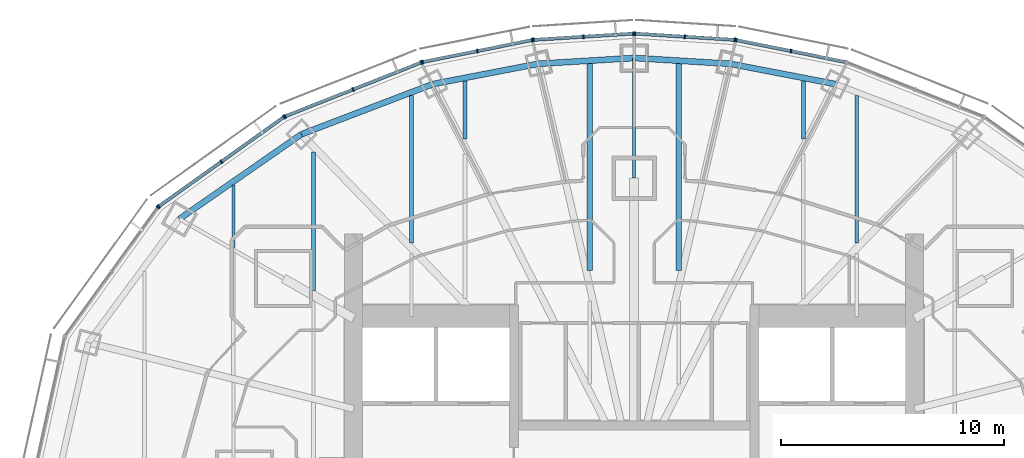
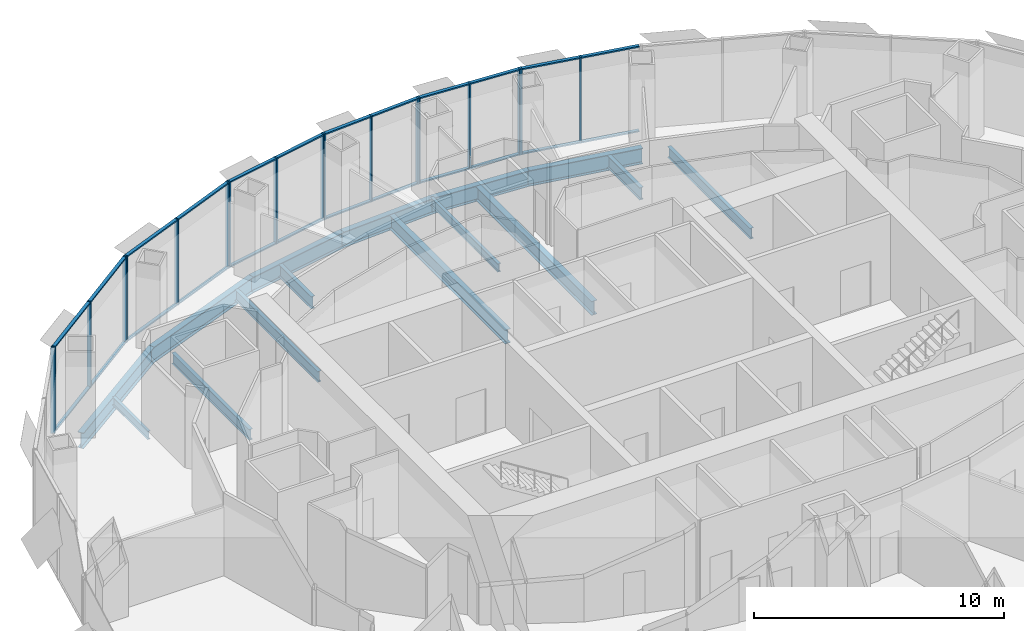
# One storey, part 8 of 18: 42 members, 15 beams, 7 elements without a shape of their own.
"""IFC4 building model written with IfcOpenShell, lengths in metres."""

from ifc_helpers import new_model, si_unit, direction, frame, origin, origin_2d, place, context, subcontext, project, spatial, rectangle, i_section, extrude, material, material_profile, profile_set, type_object, element, aggregate, save


model = new_model("IFC4")

# Units and contexts
model_context = context("Model", 3, precision=1e-05, world=origin(), true_north=direction((0.0, 1.0)))
body_context = subcontext(model_context, "Body", "Model", "MODEL_VIEW")
ifc_project = project(units=[si_unit("LENGTHUNIT", "METRE"), si_unit("AREAUNIT", "SQUARE_METRE"), si_unit("VOLUMEUNIT", "CUBIC_METRE"), si_unit("PLANEANGLEUNIT", "RADIAN"), si_unit("MASSUNIT", "GRAM", prefix="KILO")], contexts=[model_context])

# Site, building, storey
site_placement = place(None, origin())
site = spatial("IfcSite", under=ifc_project, at=site_placement, CompositionType="ELEMENT")
building_placement = place(site_placement, origin())
building = spatial("IfcBuilding", under=site, at=building_placement, Name="Lantaw Convention Tower", CompositionType="ELEMENT")
storey_placement = place(building_placement, frame((0.0, 0.0, 241.0)))
storey = spatial("IfcBuildingStorey", under=building, at=storey_placement, Name="L56", CompositionType="ELEMENT", Elevation=241.0)

# Beams
ifc_material_1 = material(Name="Steel ASTM A992", Category="steel")
ifc_material_profile_1 = material_profile(ifc_material_1, i_section(OverallWidth=0.2666015625, OverallDepth=0.76953125, WebThickness=0.015625, FlangeThickness=0.025390625, FilletRadius=0.0126953125, at=origin_2d()), Name="W30X132")
ifc_profile_set_1 = profile_set([ifc_material_profile_1], Name="Steel ASTM A992")
beam_type_1 = type_object("IfcBeamType", Name="Beam E W30X132", PredefinedType="SPANDREL", material=ifc_profile_set_1)
beam_1_placement = place(storey_placement, frame((9.03466796875, 17.7314453125, -0.534912109375), z_axis=(-0.981972091702, 0.189025953556, 0.0), x_axis=(-0.189025953556, -0.981972091702, 0.0)))
element("IfcBeam", 1, at=beam_1_placement, inside=storey, type_object=beam_type_1, Name="Edge beam 5", PredefinedType="SPANDREL", context=body_context, shape_type="SweptSolid", body=[
    extrude(i_section(OverallWidth=0.2666015625, OverallDepth=0.76953125, WebThickness=0.015625, FlangeThickness=0.025390625, FilletRadius=0.0126953125, at=origin_2d()), origin(), (0.0, 0.0, 1.0), 4.817626953125),
])
for number, where, z_axis, x_axis, name in (
    (2, (4.303955078125, 18.64208984375, -0.534912109375), (-0.998210730897, 0.059794119452, 0.0), (-0.059794119452, -0.998210730897, 0.0), "Edge beam 6"),
    (3, (0.0, 18.89990234375, -0.534912109375), (-0.998210730897, -0.059794119452, 0.0), (0.059794119452, -0.998210730897, 0.0), "Edge beam 7"),
):
    element("IfcBeam", number, at=place(storey_placement, frame(where, z_axis=z_axis, x_axis=x_axis)), inside=storey, type_object=beam_type_1, Name=name, PredefinedType="SPANDREL", context=body_context, shape_type="SweptSolid", body=[
        extrude(i_section(OverallWidth=0.2666015625, OverallDepth=0.76953125, WebThickness=0.015625, FlangeThickness=0.025390625, FilletRadius=0.0126953125, at=origin_2d()), origin(), (0.0, 0.0, 1.0), 4.311767578125),
    ])
beam_2_placement = place(storey_placement, frame((-4.303955078125, 18.64208984375, -0.534912109375), z_axis=(-0.981972091702, -0.189025953556, 0.0), x_axis=(0.189025953556, -0.981972091702, 0.0)))
element("IfcBeam", 4, at=beam_2_placement, inside=storey, type_object=beam_type_1, Name="Edge beam 8", PredefinedType="SPANDREL", context=body_context, shape_type="SweptSolid", body=[
    extrude(i_section(OverallWidth=0.2666015625, OverallDepth=0.76953125, WebThickness=0.015625, FlangeThickness=0.025390625, FilletRadius=0.0126953125, at=origin_2d()), origin(), (0.0, 0.0, 1.0), 4.817626953125),
])
beam_3_placement = place(storey_placement, frame((-9.03466796875, 17.7314453125, -0.534912109375), z_axis=(-0.934234988, -0.356658081637, 0.0), x_axis=(0.356658081637, -0.934234988, 0.0)))
element("IfcBeam", 5, at=beam_3_placement, inside=storey, type_object=beam_type_1, Name="Edge beam 9", PredefinedType="SPANDREL", context=body_context, shape_type="SweptSolid", body=[
    extrude(i_section(OverallWidth=0.2666015625, OverallDepth=0.76953125, WebThickness=0.015625, FlangeThickness=0.025390625, FilletRadius=0.0126953125, at=origin_2d()), origin(), (0.0, 0.0, 1.0), 6.32568359375),
])
beam_4_placement = place(storey_placement, frame((-14.9443359375, 15.475341796875, -0.534912109375), z_axis=(-0.82135329406, -0.570419815869, 0.0), x_axis=(0.570419815869, -0.82135329406, 0.0)))
element("IfcBeam", 6, at=beam_4_placement, inside=storey, type_object=beam_type_1, Name="Edge beam 10", PredefinedType="SPANDREL", context=body_context, shape_type="SweptSolid", body=[
    extrude(i_section(OverallWidth=0.2666015625, OverallDepth=0.76953125, WebThickness=0.015625, FlangeThickness=0.025390625, FilletRadius=0.0126953125, at=origin_2d()), origin(), (0.0, 0.0, 1.0), 6.67041015625),
])
ifc_material_profile_2 = material_profile(ifc_material_1, i_section(OverallWidth=0.140380859375, OverallDepth=0.40380859375, WebThickness=0.007080078125, FlangeThickness=0.01123046875, FilletRadius=0.01025390625, at=origin_2d()), Name="W16X31")
ifc_profile_set_2 = profile_set([ifc_material_profile_2], Name="Steel ASTM A992")
beam_type_2 = type_object("IfcBeamType", Name="Beam G W16X31", PredefinedType="BEAM", material=ifc_profile_set_2)
beam_5_placement = place(storey_placement, frame((0.0, 13.5, -0.35205078125), z_axis=(0.0, 1.0, 0.0), x_axis=(-1.0, 0.0, 0.0)))
element("IfcBeam", 7, at=beam_5_placement, inside=storey, type_object=beam_type_2, Name="Floor girder on ray 7", PredefinedType="BEAM", context=body_context, shape_type="SweptSolid", body=[
    extrude(i_section(OverallWidth=0.140380859375, OverallDepth=0.40380859375, WebThickness=0.007080078125, FlangeThickness=0.01123046875, FilletRadius=0.01025390625, at=origin_2d()), origin(), (0.0, 0.0, 1.0), 5.39990234375),
])
ifc_material_profile_3 = material_profile(ifc_material_1, i_section(OverallWidth=0.140380859375, OverallDepth=0.40380859375, WebThickness=0.007080078125, FlangeThickness=0.01123046875, FilletRadius=0.01025390625, at=origin_2d()), Name="W16X31")
ifc_profile_set_3 = profile_set([ifc_material_profile_3], Name="Steel ASTM A992")
beam_type_3 = type_object("IfcBeamType", Name="Beam J W16X31", PredefinedType="JOIST", material=ifc_profile_set_3)
beam_6_placement = place(storey_placement, frame((-18.0, 10.380859375, -0.35205078125), z_axis=(0.0, 1.0, 0.0), x_axis=(-1.0, 0.0, 0.0)))
element("IfcBeam", 8, at=beam_6_placement, inside=storey, type_object=beam_type_3, Name="Floor joist", PredefinedType="JOIST", context=body_context, shape_type="SweptSolid", body=[
    extrude(i_section(OverallWidth=0.140380859375, OverallDepth=0.40380859375, WebThickness=0.007080078125, FlangeThickness=0.01123046875, FilletRadius=0.01025390625, at=origin_2d()), origin(), (0.0, 0.0, 1.0), 2.81005859375),
])
ifc_material_profile_4 = material_profile(ifc_material_1, i_section(OverallWidth=0.1650390625, OverallDepth=0.52587890625, WebThickness=0.0087890625, FlangeThickness=0.011474609375, FilletRadius=0.0126953125, at=origin_2d()), Name="W21X44")
ifc_profile_set_4 = profile_set([ifc_material_profile_4], Name="Steel ASTM A992")
beam_type_4 = type_object("IfcBeamType", Name="Beam J W21X44", PredefinedType="JOIST", material=ifc_profile_set_4)
beam_7_placement = place(storey_placement, frame((-14.39990234375, 8.461181640625, -0.412841796875), z_axis=(0.0, 1.0, 0.0), x_axis=(-1.0, 0.0, 0.0)))
element("IfcBeam", 9, at=beam_7_placement, inside=storey, type_object=beam_type_4, Name="Floor joist", PredefinedType="JOIST", context=body_context, shape_type="SweptSolid", body=[
    extrude(i_section(OverallWidth=0.1650390625, OverallDepth=0.52587890625, WebThickness=0.0087890625, FlangeThickness=0.011474609375, FilletRadius=0.0126953125, at=origin_2d()), origin(), (0.0, 0.0, 1.0), 6.214599609375),
])
for number, where, z_axis, x_axis, name in (
    (10, (-10.0, 10.591064453125, -0.412841796875), (0.0, 1.0, 0.0), (-1.0, 0.0, 0.0), "Floor joist"),
    (11, (10.0, 10.591064453125, -0.412841796875), (0.0, 1.0, 0.0), (-1.0, 0.0, 0.0), "Floor joist"),
):
    element("IfcBeam", number, at=place(storey_placement, frame(where, z_axis=z_axis, x_axis=x_axis)), inside=storey, type_object=beam_type_4, Name=name, PredefinedType="JOIST", context=body_context, shape_type="SweptSolid", body=[
        extrude(i_section(OverallWidth=0.1650390625, OverallDepth=0.52587890625, WebThickness=0.0087890625, FlangeThickness=0.011474609375, FilletRadius=0.0126953125, at=origin_2d()), origin(), (0.0, 0.0, 1.0), 6.629150390625),
    ])
ifc_material_profile_5 = material_profile(ifc_material_1, i_section(OverallWidth=0.177978515625, OverallDepth=0.599365234375, WebThickness=0.010009765625, FlangeThickness=0.012939453125, FilletRadius=0.012939453125, at=origin_2d()), Name="W24X55")
ifc_profile_set_5 = profile_set([ifc_material_profile_5], Name="Steel ASTM A992")
beam_type_5 = type_object("IfcBeamType", Name="Beam J W24X55", PredefinedType="JOIST", material=ifc_profile_set_5)
for number, where, z_axis, x_axis, name in (
    (12, (-7.60009765625, 15.25439453125, -0.44970703125), (0.0, 1.0, 0.0), (-1.0, 0.0, 0.0), "Floor joist"),
    (13, (7.60009765625, 15.25439453125, -0.44970703125), (0.0, 1.0, 0.0), (-1.0, 0.0, 0.0), "Floor joist"),
):
    element("IfcBeam", number, at=place(storey_placement, frame(where, z_axis=z_axis, x_axis=x_axis)), inside=storey, type_object=beam_type_5, Name=name, PredefinedType="JOIST", context=body_context, shape_type="SweptSolid", body=[
        extrude(i_section(OverallWidth=0.177978515625, OverallDepth=0.599365234375, WebThickness=0.010009765625, FlangeThickness=0.012939453125, FilletRadius=0.012939453125, at=origin_2d()), origin(), (0.0, 0.0, 1.0), 2.617431640625),
    ])
ifc_material_profile_6 = material_profile(ifc_material_1, i_section(OverallWidth=0.25390625, OverallDepth=0.683349609375, WebThickness=0.012451171875, FlangeThickness=0.01904296875, FilletRadius=0.01513671875, at=origin_2d()), Name="W27X94")
ifc_profile_set_6 = profile_set([ifc_material_profile_6], Name="Steel ASTM A992")
beam_type_6 = type_object("IfcBeamType", Name="Beam J W27X94", PredefinedType="JOIST", material=ifc_profile_set_6)
for number, where, z_axis, x_axis, name in (
    (14, (-2.0, 9.34619140625, -0.49169921875), (0.0, 1.0, 0.0), (-1.0, 0.0, 0.0), "Floor joist"),
    (15, (2.0, 9.34619140625, -0.49169921875), (0.0, 1.0, 0.0), (-1.0, 0.0, 0.0), "Floor joist"),
):
    element("IfcBeam", number, at=place(storey_placement, frame(where, z_axis=z_axis, x_axis=x_axis)), inside=storey, type_object=beam_type_6, Name=name, PredefinedType="JOIST", context=body_context, shape_type="SweptSolid", body=[
        extrude(i_section(OverallWidth=0.25390625, OverallDepth=0.683349609375, WebThickness=0.012451171875, FlangeThickness=0.01904296875, FilletRadius=0.01513671875, at=origin_2d()), origin(), (0.0, 0.0, 1.0), 9.30029296875),
    ])

# Curtain wall, members
ifc_material_2 = material(Name="Aluminium framed curtain wall", Category="aluminium")
curtain_wall_type = type_object("IfcCurtainWallType", Name="Office curtain wall high rise, pale aluminium", PredefinedType="USERDEFINED", material=ifc_material_2)
curtain_wall_1_placement = place(storey_placement, origin())
curtain_wall_1 = element("IfcCurtainWall", 16, at=curtain_wall_1_placement, inside=storey, type_object=curtain_wall_type, Name="Office curtain wall high rise, pale aluminium L56", ObjectType="UNITISED CURTAIN WALL", PredefinedType="USERDEFINED")
ifc_material_3 = material(Name="Aluminium 6063-T6", Category="aluminium")
ifc_material_profile_7 = material_profile(ifc_material_3, rectangle(XDim=0.179931640625, YDim=0.06494140625, at=origin_2d()), Name="CW-O2 mullion 65x180")
ifc_profile_set_7 = profile_set([ifc_material_profile_7], Name="Aluminium 6063-T6")
member_type_1 = type_object("IfcMemberType", Name="CW-O2 mullion 65x180", PredefinedType="MULLION", material=ifc_profile_set_7)
member_1_placement = place(storey_placement, frame((7.042724609375, 19.212646484375, -0.14990234375), z_axis=(0.0, 0.0, 1.0), x_axis=(-0.197183095987, -0.980366679695, 0.0)))
member_1 = element("IfcMember", 17, at=member_1_placement, type_object=member_type_1, Name="CW-O2 mullion 2", PredefinedType="MULLION", context=body_context, shape_type="SweptSolid", body=[
    extrude(rectangle(XDim=0.179931640625, YDim=0.06494140625, at=origin_2d()), origin(), (0.0, 0.0, 1.0), 4.199951171875),
])
member_2_placement = place(storey_placement, frame((4.583251953125, 19.70751953125, -0.14990234375), z_axis=(0.0, 0.0, 1.0), x_axis=(-0.197183095987, -0.980366679695, 0.0)))
member_2 = element("IfcMember", 18, at=member_2_placement, type_object=member_type_1, Name="CW-O2 mullion 3", PredefinedType="MULLION", context=body_context, shape_type="SweptSolid", body=[
    extrude(rectangle(XDim=0.179931640625, YDim=0.06494140625, at=origin_2d()), origin(), (0.0, 0.0, 1.0), 4.199951171875),
])

curtain_wall_2_placement = place(storey_placement, origin())
curtain_wall_2 = element("IfcCurtainWall", 19, at=curtain_wall_2_placement, inside=storey, type_object=curtain_wall_type, Name="Office curtain wall high rise, pale aluminium L56", ObjectType="UNITISED CURTAIN WALL", PredefinedType="USERDEFINED")
member_3_placement = place(storey_placement, frame((4.518798828125, 19.7158203125, -0.14990234375), z_axis=(0.0, 0.0, 1.0), x_axis=(-0.062757983884, -0.998028774865, 0.0)))
member_3 = element("IfcMember", 20, at=member_3_placement, type_object=member_type_1, Name="CW-O2 mullion 1", PredefinedType="MULLION", context=body_context, shape_type="SweptSolid", body=[
    extrude(rectangle(XDim=0.179931640625, YDim=0.06494140625, at=origin_2d()), origin(), (0.0, 0.0, 1.0), 4.199951171875),
])
member_4_placement = place(storey_placement, frame((2.275634765625, 19.85693359375, -0.14990234375), z_axis=(0.0, 0.0, 1.0), x_axis=(-0.062757983884, -0.998028774865, 0.0)))
member_4 = element("IfcMember", 21, at=member_4_placement, type_object=member_type_1, Name="CW-O2 mullion 2", PredefinedType="MULLION", context=body_context, shape_type="SweptSolid", body=[
    extrude(rectangle(XDim=0.179931640625, YDim=0.06494140625, at=origin_2d()), origin(), (0.0, 0.0, 1.0), 4.199951171875),
])
member_5_placement = place(storey_placement, frame((0.032470703125, 19.998046875, -0.14990234375), z_axis=(0.0, 0.0, 1.0), x_axis=(-0.062757983884, -0.998028774865, 0.0)))
member_5 = element("IfcMember", 22, at=member_5_placement, type_object=member_type_1, Name="CW-O2 mullion 3", PredefinedType="MULLION", context=body_context, shape_type="SweptSolid", body=[
    extrude(rectangle(XDim=0.179931640625, YDim=0.06494140625, at=origin_2d()), origin(), (0.0, 0.0, 1.0), 4.199951171875),
])

curtain_wall_3_placement = place(storey_placement, origin())
curtain_wall_3 = element("IfcCurtainWall", 23, at=curtain_wall_3_placement, inside=storey, type_object=curtain_wall_type, Name="Office curtain wall high rise, pale aluminium L56", ObjectType="UNITISED CURTAIN WALL", PredefinedType="USERDEFINED")
member_6_placement = place(storey_placement, frame((-0.032470703125, 19.998046875, -0.14990234375), z_axis=(0.0, 0.0, 1.0), x_axis=(0.062757983884, -0.998028774865, 0.0)))
member_6 = element("IfcMember", 24, at=member_6_placement, type_object=member_type_1, Name="CW-O2 mullion 1", PredefinedType="MULLION", context=body_context, shape_type="SweptSolid", body=[
    extrude(rectangle(XDim=0.179931640625, YDim=0.06494140625, at=origin_2d()), origin(), (0.0, 0.0, 1.0), 4.199951171875),
])
member_7_placement = place(storey_placement, frame((-2.275634765625, 19.85693359375, -0.14990234375), z_axis=(0.0, 0.0, 1.0), x_axis=(0.062757983884, -0.998028774865, 0.0)))
member_7 = element("IfcMember", 25, at=member_7_placement, type_object=member_type_1, Name="CW-O2 mullion 2", PredefinedType="MULLION", context=body_context, shape_type="SweptSolid", body=[
    extrude(rectangle(XDim=0.179931640625, YDim=0.06494140625, at=origin_2d()), origin(), (0.0, 0.0, 1.0), 4.199951171875),
])
member_8_placement = place(storey_placement, frame((-4.518798828125, 19.7158203125, -0.14990234375), z_axis=(0.0, 0.0, 1.0), x_axis=(0.062757983884, -0.998028774865, 0.0)))
member_8 = element("IfcMember", 26, at=member_8_placement, type_object=member_type_1, Name="CW-O2 mullion 3", PredefinedType="MULLION", context=body_context, shape_type="SweptSolid", body=[
    extrude(rectangle(XDim=0.179931640625, YDim=0.06494140625, at=origin_2d()), origin(), (0.0, 0.0, 1.0), 4.199951171875),
])

curtain_wall_4_placement = place(storey_placement, origin())
curtain_wall_4 = element("IfcCurtainWall", 27, at=curtain_wall_4_placement, inside=storey, type_object=curtain_wall_type, Name="Office curtain wall high rise, pale aluminium L56", ObjectType="UNITISED CURTAIN WALL", PredefinedType="USERDEFINED")
member_9_placement = place(storey_placement, frame((-4.583251953125, 19.70751953125, -0.14990234375), z_axis=(0.0, 0.0, 1.0), x_axis=(0.197183095987, -0.980366679695, 0.0)))
member_9 = element("IfcMember", 28, at=member_9_placement, type_object=member_type_1, Name="CW-O2 mullion 1", PredefinedType="MULLION", context=body_context, shape_type="SweptSolid", body=[
    extrude(rectangle(XDim=0.179931640625, YDim=0.06494140625, at=origin_2d()), origin(), (0.0, 0.0, 1.0), 4.199951171875),
])
member_10_placement = place(storey_placement, frame((-7.042724609375, 19.212646484375, -0.14990234375), z_axis=(0.0, 0.0, 1.0), x_axis=(0.197183095987, -0.980366679695, 0.0)))
member_10 = element("IfcMember", 29, at=member_10_placement, type_object=member_type_1, Name="CW-O2 mullion 2", PredefinedType="MULLION", context=body_context, shape_type="SweptSolid", body=[
    extrude(rectangle(XDim=0.179931640625, YDim=0.06494140625, at=origin_2d()), origin(), (0.0, 0.0, 1.0), 4.199951171875),
])
member_11_placement = place(storey_placement, frame((-9.502197265625, 18.718017578125, -0.14990234375), z_axis=(0.0, 0.0, 1.0), x_axis=(0.197183095987, -0.980366679695, 0.0)))
member_11 = element("IfcMember", 30, at=member_11_placement, type_object=member_type_1, Name="CW-O2 mullion 3", PredefinedType="MULLION", context=body_context, shape_type="SweptSolid", body=[
    extrude(rectangle(XDim=0.179931640625, YDim=0.06494140625, at=origin_2d()), origin(), (0.0, 0.0, 1.0), 4.199951171875),
])

curtain_wall_5_placement = place(storey_placement, origin())
curtain_wall_5 = element("IfcCurtainWall", 31, at=curtain_wall_5_placement, inside=storey, type_object=curtain_wall_type, Name="Office curtain wall high rise, pale aluminium L56", ObjectType="UNITISED CURTAIN WALL", PredefinedType="USERDEFINED")
member_12_placement = place(storey_placement, frame((-9.564208984375, 18.69970703125, -0.14990234375), z_axis=(0.0, 0.0, 1.0), x_axis=(0.368162315252, -0.929761533743, 0.0)))
member_12 = element("IfcMember", 32, at=member_12_placement, type_object=member_type_1, Name="CW-O2 mullion 1", PredefinedType="MULLION", context=body_context, shape_type="SweptSolid", body=[
    extrude(rectangle(XDim=0.179931640625, YDim=0.06494140625, at=origin_2d()), origin(), (0.0, 0.0, 1.0), 4.199951171875),
])
member_13_placement = place(storey_placement, frame((-12.621337890625, 17.4892578125, -0.14990234375), z_axis=(0.0, 0.0, 1.0), x_axis=(0.368162315252, -0.929761533743, 0.0)))
member_13 = element("IfcMember", 33, at=member_13_placement, type_object=member_type_1, Name="CW-O2 mullion 2", PredefinedType="MULLION", context=body_context, shape_type="SweptSolid", body=[
    extrude(rectangle(XDim=0.179931640625, YDim=0.06494140625, at=origin_2d()), origin(), (0.0, 0.0, 1.0), 4.199951171875),
])
member_14_placement = place(storey_placement, frame((-15.67822265625, 16.278564453125, -0.14990234375), z_axis=(0.0, 0.0, 1.0), x_axis=(0.368162315252, -0.929761533743, 0.0)))
member_14 = element("IfcMember", 34, at=member_14_placement, type_object=member_type_1, Name="CW-O2 mullion 3", PredefinedType="MULLION", context=body_context, shape_type="SweptSolid", body=[
    extrude(rectangle(XDim=0.179931640625, YDim=0.06494140625, at=origin_2d()), origin(), (0.0, 0.0, 1.0), 4.199951171875),
])

curtain_wall_6_placement = place(storey_placement, origin())
curtain_wall_6 = element("IfcCurtainWall", 35, at=curtain_wall_6_placement, inside=storey, type_object=curtain_wall_type, Name="Office curtain wall high rise, pale aluminium L56", ObjectType="UNITISED CURTAIN WALL", PredefinedType="USERDEFINED")
member_15_placement = place(storey_placement, frame((-15.73486328125, 16.247802734375, -0.14990234375), z_axis=(0.0, 0.0, 1.0), x_axis=(0.581323487281, -0.813672540482, 0.0)))
member_15 = element("IfcMember", 36, at=member_15_placement, type_object=member_type_1, Name="CW-O2 mullion 1", PredefinedType="MULLION", context=body_context, shape_type="SweptSolid", body=[
    extrude(rectangle(XDim=0.179931640625, YDim=0.06494140625, at=origin_2d()), origin(), (0.0, 0.0, 1.0), 4.199951171875),
])
member_16_placement = place(storey_placement, frame((-18.543212890625, 14.241455078125, -0.14990234375), z_axis=(0.0, 0.0, 1.0), x_axis=(0.581323487281, -0.813672540482, 0.0)))
member_16 = element("IfcMember", 37, at=member_16_placement, type_object=member_type_1, Name="CW-O2 mullion 2", PredefinedType="MULLION", context=body_context, shape_type="SweptSolid", body=[
    extrude(rectangle(XDim=0.179931640625, YDim=0.06494140625, at=origin_2d()), origin(), (0.0, 0.0, 1.0), 4.199951171875),
])
member_17_placement = place(storey_placement, frame((-21.3515625, 12.23486328125, -0.14990234375), z_axis=(0.0, 0.0, 1.0), x_axis=(0.581323487281, -0.813672540482, 0.0)))
member_17 = element("IfcMember", 38, at=member_17_placement, type_object=member_type_1, Name="CW-O2 mullion 3", PredefinedType="MULLION", context=body_context, shape_type="SweptSolid", body=[
    extrude(rectangle(XDim=0.179931640625, YDim=0.06494140625, at=origin_2d()), origin(), (0.0, 0.0, 1.0), 4.199951171875),
])

# Curtain wall, member
curtain_wall_7_placement = place(storey_placement, origin())
curtain_wall_7 = element("IfcCurtainWall", 39, at=curtain_wall_7_placement, inside=storey, type_object=curtain_wall_type, Name="Office curtain wall high rise, pale aluminium L56", ObjectType="UNITISED CURTAIN WALL", PredefinedType="USERDEFINED")
member_18_placement = place(storey_placement, frame((-21.397216796875, 12.189697265625, -0.14990234375), z_axis=(0.0, 0.0, 1.0), x_axis=(0.810919559405, -0.585157643865, 0.0)))
member_18 = element("IfcMember", 40, at=member_18_placement, type_object=member_type_1, Name="CW-O2 mullion 1", PredefinedType="MULLION", context=body_context, shape_type="SweptSolid", body=[
    extrude(rectangle(XDim=0.179931640625, YDim=0.06494140625, at=origin_2d()), origin(), (0.0, 0.0, 1.0), 4.199951171875),
])
aggregate(curtain_wall_7, [member_18])

# Member
ifc_material_profile_8 = material_profile(ifc_material_3, rectangle(XDim=0.14990234375, YDim=0.06494140625, at=origin_2d()), Name="CW-O2 transom 65x150")
ifc_profile_set_8 = profile_set([ifc_material_profile_8], Name="Aluminium 6063-T6")
member_type_2 = type_object("IfcMemberType", Name="CW-O2 transom 65x150", PredefinedType="USERDEFINED", material=ifc_profile_set_8)
member_19_placement = place(storey_placement, frame((9.47021484375, 18.724365234375, -0.117431640625), z_axis=(-0.98036104319, 0.197211117829, 0.0), x_axis=(-0.197211117829, -0.98036104319, 0.0)))
member_19 = element("IfcMember", 41, at=member_19_placement, type_object=member_type_2, Name="CW-O2 transom 1.1", ObjectType="TRANSOM", PredefinedType="USERDEFINED", context=body_context, shape_type="SweptSolid", body=[
    extrude(rectangle(XDim=0.14990234375, YDim=0.06494140625, at=origin_2d()), origin(), (0.0, 0.0, 1.0), 2.44384765625),
])

member_20_placement = place(storey_placement, frame((9.47021484375, 18.724365234375, 4.017578125), z_axis=(-0.98036104319, 0.197211117829, 0.0), x_axis=(-0.197211117829, -0.98036104319, 0.0)))
member_20 = element("IfcMember", 42, at=member_20_placement, type_object=member_type_2, Name="CW-O2 transom 1.2", ObjectType="TRANSOM", PredefinedType="USERDEFINED", context=body_context, shape_type="SweptSolid", body=[
    extrude(rectangle(XDim=0.14990234375, YDim=0.06494140625, at=origin_2d()), origin(), (0.0, 0.0, 1.0), 2.44384765625),
])

member_21_placement = place(storey_placement, frame((7.0107421875, 19.21923828125, -0.117431640625), z_axis=(-0.980380354178, 0.197115096178, 0.0), x_axis=(-0.197115096178, -0.980380354178, 0.0)))
member_21 = element("IfcMember", 43, at=member_21_placement, type_object=member_type_2, Name="CW-O2 transom 2.1", ObjectType="TRANSOM", PredefinedType="USERDEFINED", context=body_context, shape_type="SweptSolid", body=[
    extrude(rectangle(XDim=0.14990234375, YDim=0.06494140625, at=origin_2d()), origin(), (0.0, 0.0, 1.0), 2.443603515625),
])

member_22_placement = place(storey_placement, frame((7.0107421875, 19.21923828125, 4.017578125), z_axis=(-0.980380354178, 0.197115096178, 0.0), x_axis=(-0.197115096178, -0.980380354178, 0.0)))
member_22 = element("IfcMember", 44, at=member_22_placement, type_object=member_type_2, Name="CW-O2 transom 2.2", ObjectType="TRANSOM", PredefinedType="USERDEFINED", context=body_context, shape_type="SweptSolid", body=[
    extrude(rectangle(XDim=0.14990234375, YDim=0.06494140625, at=origin_2d()), origin(), (0.0, 0.0, 1.0), 2.443603515625),
])

aggregate(curtain_wall_1, [member_1, member_2, member_19, member_20, member_21, member_22])

member_23_placement = place(storey_placement, frame((4.486328125, 19.7177734375, -0.117431640625), z_axis=(-0.998021991509, 0.062865765437, 0.0), x_axis=(-0.062865765437, -0.998021991509, 0.0)))
member_23 = element("IfcMember", 45, at=member_23_placement, type_object=member_type_2, Name="CW-O2 transom 1.1", ObjectType="TRANSOM", PredefinedType="USERDEFINED", context=body_context, shape_type="SweptSolid", body=[
    extrude(rectangle(XDim=0.14990234375, YDim=0.06494140625, at=origin_2d()), origin(), (0.0, 0.0, 1.0), 2.1826171875),
])

member_24_placement = place(storey_placement, frame((4.486328125, 19.7177734375, 4.017578125), z_axis=(-0.998021991509, 0.062865765437, 0.0), x_axis=(-0.062865765437, -0.998021991509, 0.0)))
member_24 = element("IfcMember", 46, at=member_24_placement, type_object=member_type_2, Name="CW-O2 transom 1.2", ObjectType="TRANSOM", PredefinedType="USERDEFINED", context=body_context, shape_type="SweptSolid", body=[
    extrude(rectangle(XDim=0.14990234375, YDim=0.06494140625, at=origin_2d()), origin(), (0.0, 0.0, 1.0), 2.1826171875),
])

member_25_placement = place(storey_placement, frame((2.2431640625, 19.85888671875, -0.117431640625), z_axis=(-0.998029003644, 0.062754345555, 0.0), x_axis=(-0.062754345555, -0.998029003644, 0.0)))
member_25 = element("IfcMember", 47, at=member_25_placement, type_object=member_type_2, Name="CW-O2 transom 2.1", ObjectType="TRANSOM", PredefinedType="USERDEFINED", context=body_context, shape_type="SweptSolid", body=[
    extrude(rectangle(XDim=0.14990234375, YDim=0.06494140625, at=origin_2d()), origin(), (0.0, 0.0, 1.0), 2.1826171875),
])

member_26_placement = place(storey_placement, frame((2.2431640625, 19.85888671875, 4.017578125), z_axis=(-0.998029003644, 0.062754345555, 0.0), x_axis=(-0.062754345555, -0.998029003644, 0.0)))
member_26 = element("IfcMember", 48, at=member_26_placement, type_object=member_type_2, Name="CW-O2 transom 2.2", ObjectType="TRANSOM", PredefinedType="USERDEFINED", context=body_context, shape_type="SweptSolid", body=[
    extrude(rectangle(XDim=0.14990234375, YDim=0.06494140625, at=origin_2d()), origin(), (0.0, 0.0, 1.0), 2.1826171875),
])

aggregate(curtain_wall_2, [member_3, member_4, member_5, member_23, member_24, member_25, member_26])

member_27_placement = place(storey_placement, frame((-0.06494140625, 19.995849609375, -0.117431640625), z_axis=(-0.998029003644, -0.062754345555, 0.0), x_axis=(0.062754345555, -0.998029003644, 0.0)))
member_27 = element("IfcMember", 49, at=member_27_placement, type_object=member_type_2, Name="CW-O2 transom 1.1", ObjectType="TRANSOM", PredefinedType="USERDEFINED", context=body_context, shape_type="SweptSolid", body=[
    extrude(rectangle(XDim=0.14990234375, YDim=0.06494140625, at=origin_2d()), origin(), (0.0, 0.0, 1.0), 2.1826171875),
])

member_28_placement = place(storey_placement, frame((-0.06494140625, 19.995849609375, 4.017578125), z_axis=(-0.998029003644, -0.062754345555, 0.0), x_axis=(0.062754345555, -0.998029003644, 0.0)))
member_28 = element("IfcMember", 50, at=member_28_placement, type_object=member_type_2, Name="CW-O2 transom 1.2", ObjectType="TRANSOM", PredefinedType="USERDEFINED", context=body_context, shape_type="SweptSolid", body=[
    extrude(rectangle(XDim=0.14990234375, YDim=0.06494140625, at=origin_2d()), origin(), (0.0, 0.0, 1.0), 2.1826171875),
])

member_29_placement = place(storey_placement, frame((-2.30810546875, 19.85498046875, -0.117431640625), z_axis=(-0.998021991509, -0.062865765437, 0.0), x_axis=(0.062865765437, -0.998021991509, 0.0)))
member_29 = element("IfcMember", 51, at=member_29_placement, type_object=member_type_2, Name="CW-O2 transom 2.1", ObjectType="TRANSOM", PredefinedType="USERDEFINED", context=body_context, shape_type="SweptSolid", body=[
    extrude(rectangle(XDim=0.14990234375, YDim=0.06494140625, at=origin_2d()), origin(), (0.0, 0.0, 1.0), 2.1826171875),
])

member_30_placement = place(storey_placement, frame((-2.30810546875, 19.85498046875, 4.017578125), z_axis=(-0.998021991509, -0.062865765437, 0.0), x_axis=(0.062865765437, -0.998021991509, 0.0)))
member_30 = element("IfcMember", 52, at=member_30_placement, type_object=member_type_2, Name="CW-O2 transom 2.2", ObjectType="TRANSOM", PredefinedType="USERDEFINED", context=body_context, shape_type="SweptSolid", body=[
    extrude(rectangle(XDim=0.14990234375, YDim=0.06494140625, at=origin_2d()), origin(), (0.0, 0.0, 1.0), 2.1826171875),
])

aggregate(curtain_wall_3, [member_6, member_7, member_8, member_27, member_28, member_29, member_30])

member_31_placement = place(storey_placement, frame((-4.614990234375, 19.700927734375, -0.117431640625), z_axis=(-0.980380354178, -0.197115096178, 0.0), x_axis=(0.197115096178, -0.980380354178, 0.0)))
member_31 = element("IfcMember", 53, at=member_31_placement, type_object=member_type_2, Name="CW-O2 transom 1.1", ObjectType="TRANSOM", PredefinedType="USERDEFINED", context=body_context, shape_type="SweptSolid", body=[
    extrude(rectangle(XDim=0.14990234375, YDim=0.06494140625, at=origin_2d()), origin(), (0.0, 0.0, 1.0), 2.443603515625),
])

member_32_placement = place(storey_placement, frame((-4.614990234375, 19.700927734375, 4.017578125), z_axis=(-0.980380354178, -0.197115096178, 0.0), x_axis=(0.197115096178, -0.980380354178, 0.0)))
member_32 = element("IfcMember", 54, at=member_32_placement, type_object=member_type_2, Name="CW-O2 transom 1.2", ObjectType="TRANSOM", PredefinedType="USERDEFINED", context=body_context, shape_type="SweptSolid", body=[
    extrude(rectangle(XDim=0.14990234375, YDim=0.06494140625, at=origin_2d()), origin(), (0.0, 0.0, 1.0), 2.443603515625),
])

member_33_placement = place(storey_placement, frame((-7.074462890625, 19.206298828125, -0.117431640625), z_axis=(-0.98036104319, -0.197211117829, 0.0), x_axis=(0.197211117829, -0.98036104319, 0.0)))
member_33 = element("IfcMember", 55, at=member_33_placement, type_object=member_type_2, Name="CW-O2 transom 2.1", ObjectType="TRANSOM", PredefinedType="USERDEFINED", context=body_context, shape_type="SweptSolid", body=[
    extrude(rectangle(XDim=0.14990234375, YDim=0.06494140625, at=origin_2d()), origin(), (0.0, 0.0, 1.0), 2.44384765625),
])

member_34_placement = place(storey_placement, frame((-7.074462890625, 19.206298828125, 4.017578125), z_axis=(-0.98036104319, -0.197211117829, 0.0), x_axis=(0.197211117829, -0.98036104319, 0.0)))
member_34 = element("IfcMember", 56, at=member_34_placement, type_object=member_type_2, Name="CW-O2 transom 2.2", ObjectType="TRANSOM", PredefinedType="USERDEFINED", context=body_context, shape_type="SweptSolid", body=[
    extrude(rectangle(XDim=0.14990234375, YDim=0.06494140625, at=origin_2d()), origin(), (0.0, 0.0, 1.0), 2.44384765625),
])

aggregate(curtain_wall_4, [member_9, member_10, member_11, member_31, member_32, member_33, member_34])

member_35_placement = place(storey_placement, frame((-9.594482421875, 18.687744140625, -0.117431640625), z_axis=(-0.929766642946, -0.368149412149, 0.0), x_axis=(0.368149412149, -0.929766642946, 0.0)))
member_35 = element("IfcMember", 57, at=member_35_placement, type_object=member_type_2, Name="CW-O2 transom 1.1", ObjectType="TRANSOM", PredefinedType="USERDEFINED", context=body_context, shape_type="SweptSolid", body=[
    extrude(rectangle(XDim=0.14990234375, YDim=0.06494140625, at=origin_2d()), origin(), (0.0, 0.0, 1.0), 3.222900390625),
])

member_36_placement = place(storey_placement, frame((-9.594482421875, 18.687744140625, 4.017578125), z_axis=(-0.929766642946, -0.368149412149, 0.0), x_axis=(0.368149412149, -0.929766642946, 0.0)))
member_36 = element("IfcMember", 58, at=member_36_placement, type_object=member_type_2, Name="CW-O2 transom 1.2", ObjectType="TRANSOM", PredefinedType="USERDEFINED", context=body_context, shape_type="SweptSolid", body=[
    extrude(rectangle(XDim=0.14990234375, YDim=0.06494140625, at=origin_2d()), origin(), (0.0, 0.0, 1.0), 3.222900390625),
])

member_37_placement = place(storey_placement, frame((-12.651611328125, 17.477294921875, -0.117431640625), z_axis=(-0.929740712354, -0.368214893495, 0.0), x_axis=(0.368214893495, -0.929740712354, 0.0)))
member_37 = element("IfcMember", 59, at=member_37_placement, type_object=member_type_2, Name="CW-O2 transom 2.1", ObjectType="TRANSOM", PredefinedType="USERDEFINED", context=body_context, shape_type="SweptSolid", body=[
    extrude(rectangle(XDim=0.14990234375, YDim=0.06494140625, at=origin_2d()), origin(), (0.0, 0.0, 1.0), 3.22314453125),
])

member_38_placement = place(storey_placement, frame((-12.651611328125, 17.477294921875, 4.017578125), z_axis=(-0.929740712354, -0.368214893495, 0.0), x_axis=(0.368214893495, -0.929740712354, 0.0)))
member_38 = element("IfcMember", 60, at=member_38_placement, type_object=member_type_2, Name="CW-O2 transom 2.2", ObjectType="TRANSOM", PredefinedType="USERDEFINED", context=body_context, shape_type="SweptSolid", body=[
    extrude(rectangle(XDim=0.14990234375, YDim=0.06494140625, at=origin_2d()), origin(), (0.0, 0.0, 1.0), 3.22314453125),
])

aggregate(curtain_wall_5, [member_12, member_13, member_14, member_35, member_36, member_37, member_38])

member_39_placement = place(storey_placement, frame((-15.761474609375, 16.22900390625, -0.117431640625), z_axis=(-0.813645780821, -0.581360940683, 0.0), x_axis=(0.581360940683, -0.813645780821, 0.0)))
member_39 = element("IfcMember", 61, at=member_39_placement, type_object=member_type_2, Name="CW-O2 transom 1.1", ObjectType="TRANSOM", PredefinedType="USERDEFINED", context=body_context, shape_type="SweptSolid", body=[
    extrude(rectangle(XDim=0.14990234375, YDim=0.06494140625, at=origin_2d()), origin(), (0.0, 0.0, 1.0), 3.386474609375),
])

member_40_placement = place(storey_placement, frame((-15.761474609375, 16.22900390625, 4.017578125), z_axis=(-0.813645780821, -0.581360940683, 0.0), x_axis=(0.581360940683, -0.813645780821, 0.0)))
member_40 = element("IfcMember", 62, at=member_40_placement, type_object=member_type_2, Name="CW-O2 transom 1.2", ObjectType="TRANSOM", PredefinedType="USERDEFINED", context=body_context, shape_type="SweptSolid", body=[
    extrude(rectangle(XDim=0.14990234375, YDim=0.06494140625, at=origin_2d()), origin(), (0.0, 0.0, 1.0), 3.386474609375),
])

member_41_placement = place(storey_placement, frame((-18.56982421875, 14.222412109375, -0.117431640625), z_axis=(-0.813679882592, -0.581313210468, 0.0), x_axis=(0.581313210468, -0.813679882592, 0.0)))
member_41 = element("IfcMember", 63, at=member_41_placement, type_object=member_type_2, Name="CW-O2 transom 2.1", ObjectType="TRANSOM", PredefinedType="USERDEFINED", context=body_context, shape_type="SweptSolid", body=[
    extrude(rectangle(XDim=0.14990234375, YDim=0.06494140625, at=origin_2d()), origin(), (0.0, 0.0, 1.0), 3.38623046875),
])

member_42_placement = place(storey_placement, frame((-18.56982421875, 14.222412109375, 4.017578125), z_axis=(-0.813679882592, -0.581313210468, 0.0), x_axis=(0.581313210468, -0.813679882592, 0.0)))
member_42 = element("IfcMember", 64, at=member_42_placement, type_object=member_type_2, Name="CW-O2 transom 2.2", ObjectType="TRANSOM", PredefinedType="USERDEFINED", context=body_context, shape_type="SweptSolid", body=[
    extrude(rectangle(XDim=0.14990234375, YDim=0.06494140625, at=origin_2d()), origin(), (0.0, 0.0, 1.0), 3.38623046875),
])

aggregate(curtain_wall_6, [member_15, member_16, member_17, member_39, member_40, member_41, member_42])

save(model, "model.ifc")
